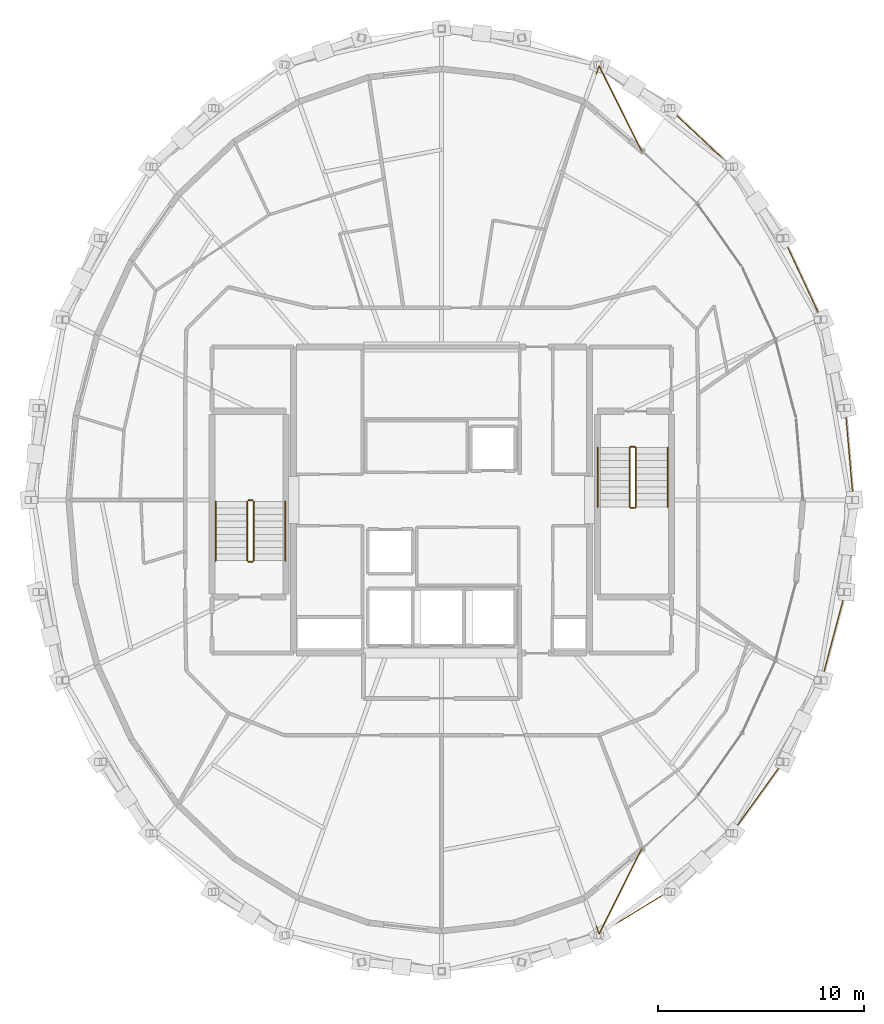
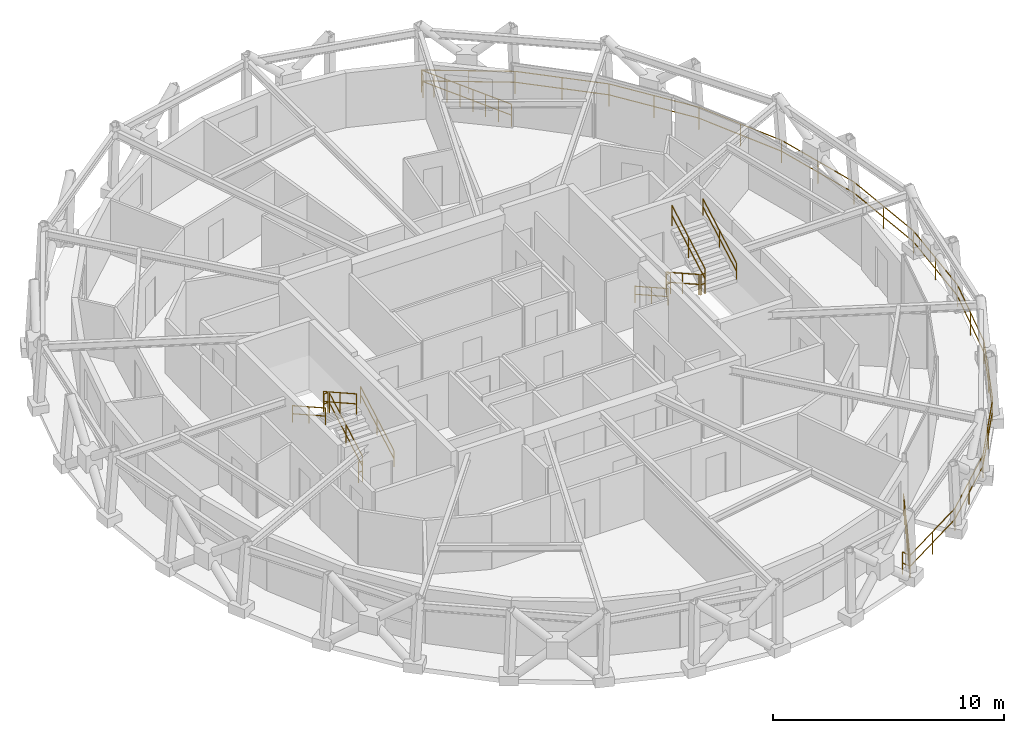
# One storey, part 17 of 17: 15 railings.
"""IFC4 building model written with IfcOpenShell, lengths in metres."""

from ifc_helpers import new_model, si_unit, direction, frame, origin, origin_2d, place, context, subcontext, project, spatial, circle, extrude, material, type_object, element, save


model = new_model("IFC4")

# Units and contexts
model_context = context("Model", 3, precision=1e-05, world=origin(), true_north=direction((0.0, 1.0)))
body_context = subcontext(model_context, "Body", "Model", "MODEL_VIEW")
ifc_project = project(units=[si_unit("LENGTHUNIT", "METRE"), si_unit("AREAUNIT", "SQUARE_METRE"), si_unit("VOLUMEUNIT", "CUBIC_METRE"), si_unit("PLANEANGLEUNIT", "RADIAN"), si_unit("MASSUNIT", "GRAM", prefix="KILO")], contexts=[model_context])

# Site, building, storey
site_placement = place(None, origin())
site = spatial("IfcSite", under=ifc_project, at=site_placement, CompositionType="ELEMENT")
building_placement = place(site_placement, origin())
building = spatial("IfcBuilding", under=site, at=building_placement, Name="Veldorina Hangang Commons", CompositionType="ELEMENT")
storey_placement = place(building_placement, frame((0.0, 0.0, 286.800048828125)))
storey = spatial("IfcBuildingStorey", under=building, at=storey_placement, Name="L75", CompositionType="ELEMENT", Elevation=286.800048828125)

# Railings
ifc_material_1 = material(Name="Glass Laminated Safety Balustrade", Category="glass")
railing_type_1 = type_object("IfcRailingType", Name="RL-BAL-LOGGIA", PredefinedType="BALUSTRADE", material=ifc_material_1)
railing_1_placement = place(storey_placement, frame((39.523681640625, 3.279541015625, 0.0)))
element("IfcRailing", 1, at=railing_1_placement, inside=storey, type_object=railing_type_1, Name="L75 sky-garden loggia end balustrade A", PredefinedType="BALUSTRADE", context=body_context, shape_type="SweptSolid", body=[
    extrude(circle(Radius=0.02392578125, at=origin_2d()), frame((0.0, 0.0, 1.17578125), z_axis=(0.341229591373, -0.939979981687, 0.0), x_axis=(0.939979981687, 0.341229591373, 0.0)), (0.0, 0.0, 1.0), 0.419921875),
    extrude(circle(Radius=0.02392578125, at=origin_2d()), frame((0.0, 0.0, 0.60009765625), z_axis=(0.341229591373, -0.939979981687, 0.0), x_axis=(0.939979981687, 0.341229591373, 0.0)), (0.0, 0.0, 1.0), 0.419921875),
    extrude(circle(Radius=0.02392578125, at=origin_2d()), frame((0.143310546875, -0.394775390625, 1.17578125), z_axis=(0.446543628479, 0.89476186098, 0.0), x_axis=(-0.89476186098, 0.446543628479, 0.0)), (0.0, 0.0, 1.0), 4.665283203125),
    extrude(circle(Radius=0.02392578125, at=origin_2d()), frame((0.143310546875, -0.394775390625, 0.60009765625), z_axis=(0.446543628479, 0.89476186098, 0.0), x_axis=(-0.89476186098, 0.446543628479, 0.0)), (0.0, 0.0, 1.0), 4.665283203125),
    extrude(circle(Radius=0.02099609375, at=origin_2d()), origin(), (0.0, 0.0, 1.0), 1.15185546875),
    extrude(circle(Radius=0.02099609375, at=origin_2d()), frame((0.143310546875, -0.394775390625, 0.0)), (0.0, 0.0, 1.0), 1.15185546875),
    extrude(circle(Radius=0.02099609375, at=origin_2d()), frame((0.44091796875, 0.20166015625, 0.0)), (0.0, 0.0, 1.0), 1.15185546875),
    extrude(circle(Radius=0.02099609375, at=origin_2d()), frame((0.738525390625, 0.7978515625, 0.0)), (0.0, 0.0, 1.0), 1.15185546875),
    extrude(circle(Radius=0.02099609375, at=origin_2d()), frame((1.0361328125, 1.394287109375, 0.0)), (0.0, 0.0, 1.0), 1.15185546875),
    extrude(circle(Radius=0.02099609375, at=origin_2d()), frame((1.333740234375, 1.990478515625, 0.0)), (0.0, 0.0, 1.0), 1.15185546875),
    extrude(circle(Radius=0.02099609375, at=origin_2d()), frame((1.63134765625, 2.5869140625, 0.0)), (0.0, 0.0, 1.0), 1.15185546875),
    extrude(circle(Radius=0.02099609375, at=origin_2d()), frame((1.928955078125, 3.18310546875, 0.0)), (0.0, 0.0, 1.0), 1.15185546875),
    extrude(circle(Radius=0.02099609375, at=origin_2d()), frame((2.2265625, 3.779541015625, 0.0)), (0.0, 0.0, 1.0), 1.15185546875),
])
railing_2_placement = place(storey_placement, frame((39.523681640625, 44.720458984375, 0.0)))
element("IfcRailing", 2, at=railing_2_placement, inside=storey, type_object=railing_type_1, Name="L75 sky-garden loggia end balustrade B", PredefinedType="BALUSTRADE", context=body_context, shape_type="SweptSolid", body=[
    extrude(circle(Radius=0.02392578125, at=origin_2d()), frame((0.0, 0.0, 1.17578125), z_axis=(0.341229591373, 0.939979981687, 0.0), x_axis=(-0.939979981687, 0.341229591373, 0.0)), (0.0, 0.0, 1.0), 0.419921875),
    extrude(circle(Radius=0.02392578125, at=origin_2d()), frame((0.0, 0.0, 0.60009765625), z_axis=(0.341229591373, 0.939979981687, 0.0), x_axis=(-0.939979981687, 0.341229591373, 0.0)), (0.0, 0.0, 1.0), 0.419921875),
    extrude(circle(Radius=0.02392578125, at=origin_2d()), frame((0.143310546875, 0.394775390625, 1.17578125), z_axis=(0.446543628479, -0.89476186098, 0.0), x_axis=(0.89476186098, 0.446543628479, 0.0)), (0.0, 0.0, 1.0), 4.665283203125),
    extrude(circle(Radius=0.02392578125, at=origin_2d()), frame((0.143310546875, 0.394775390625, 0.60009765625), z_axis=(0.446543628479, -0.89476186098, 0.0), x_axis=(0.89476186098, 0.446543628479, 0.0)), (0.0, 0.0, 1.0), 4.665283203125),
    extrude(circle(Radius=0.02099609375, at=origin_2d()), origin(), (0.0, 0.0, 1.0), 1.15185546875),
    extrude(circle(Radius=0.02099609375, at=origin_2d()), frame((0.143310546875, 0.394775390625, 0.0)), (0.0, 0.0, 1.0), 1.15185546875),
    extrude(circle(Radius=0.02099609375, at=origin_2d()), frame((0.44091796875, -0.20166015625, 0.0)), (0.0, 0.0, 1.0), 1.15185546875),
    extrude(circle(Radius=0.02099609375, at=origin_2d()), frame((0.738525390625, -0.7978515625, 0.0)), (0.0, 0.0, 1.0), 1.15185546875),
    extrude(circle(Radius=0.02099609375, at=origin_2d()), frame((1.0361328125, -1.394287109375, 0.0)), (0.0, 0.0, 1.0), 1.15185546875),
    extrude(circle(Radius=0.02099609375, at=origin_2d()), frame((1.333740234375, -1.990478515625, 0.0)), (0.0, 0.0, 1.0), 1.15185546875),
    extrude(circle(Radius=0.02099609375, at=origin_2d()), frame((1.63134765625, -2.5869140625, 0.0)), (0.0, 0.0, 1.0), 1.15185546875),
    extrude(circle(Radius=0.02099609375, at=origin_2d()), frame((1.928955078125, -3.18310546875, 0.0)), (0.0, 0.0, 1.0), 1.15185546875),
    extrude(circle(Radius=0.02099609375, at=origin_2d()), frame((2.2265625, -3.779541015625, 0.0)), (0.0, 0.0, 1.0), 1.15185546875),
])
railing_3_placement = place(storey_placement, frame((39.6669921875, 2.884765625, 0.0)))
element("IfcRailing", 3, at=railing_3_placement, inside=storey, type_object=railing_type_1, Name="L75 sky-garden loggia outer balustrade", PredefinedType="BALUSTRADE", context=body_context, shape_type="SweptSolid", body=[
    extrude(circle(Radius=0.02392578125, at=origin_2d()), frame((0.0, 0.0, 1.17578125), z_axis=(0.853602995995, 0.520924106975, 0.0), x_axis=(-0.520924106975, 0.853602995995, 0.0)), (0.0, 0.0, 1.0), 4.056884765625),
    extrude(circle(Radius=0.02392578125, at=origin_2d()), frame((0.0, 0.0, 0.60009765625), z_axis=(0.853602995995, 0.520924106975, 0.0), x_axis=(-0.520924106975, 0.853602995995, 0.0)), (0.0, 0.0, 1.0), 4.056884765625),
    extrude(circle(Radius=0.02392578125, at=origin_2d()), frame((3.462890625, 2.11328125, 1.17578125), z_axis=(0.729659853054, 0.683810279859, 0.0), x_axis=(-0.683810279859, 0.729659853054, 0.0)), (0.0, 0.0, 1.0), 4.15869140625),
    extrude(circle(Radius=0.02392578125, at=origin_2d()), frame((3.462890625, 2.11328125, 0.60009765625), z_axis=(0.729659853054, 0.683810279859, 0.0), x_axis=(-0.683810279859, 0.729659853054, 0.0)), (0.0, 0.0, 1.0), 4.15869140625),
    extrude(circle(Radius=0.02392578125, at=origin_2d()), frame((6.497314453125, 4.95703125, 1.17578125), z_axis=(0.583612461561, 0.812032323686, 0.0), x_axis=(-0.812032323686, 0.583612461561, 0.0)), (0.0, 0.0, 1.0), 4.265625),
    extrude(circle(Radius=0.02392578125, at=origin_2d()), frame((6.497314453125, 4.95703125, 0.60009765625), z_axis=(0.583612461561, 0.812032323686, 0.0), x_axis=(-0.812032323686, 0.583612461561, 0.0)), (0.0, 0.0, 1.0), 4.265625),
    extrude(circle(Radius=0.02392578125, at=origin_2d()), frame((8.98681640625, 8.4208984375, 1.17578125), z_axis=(0.423917641861, 0.90570074137, 0.0), x_axis=(-0.90570074137, 0.423917641861, 0.0)), (0.0, 0.0, 1.0), 4.362548828125),
    extrude(circle(Radius=0.02392578125, at=origin_2d()), frame((8.98681640625, 8.4208984375, 0.60009765625), z_axis=(0.423917641861, 0.90570074137, 0.0), x_axis=(-0.90570074137, 0.423917641861, 0.0)), (0.0, 0.0, 1.0), 4.362548828125),
    extrude(circle(Radius=0.02392578125, at=origin_2d()), frame((10.836181640625, 12.3720703125, 1.17578125), z_axis=(0.256706541952, 0.966489395347, 0.0), x_axis=(-0.966489395347, 0.256706541952, 0.0)), (0.0, 0.0, 1.0), 4.434814453125),
    extrude(circle(Radius=0.02392578125, at=origin_2d()), frame((10.836181640625, 12.3720703125, 0.60009765625), z_axis=(0.256706541952, 0.966489395347, 0.0), x_axis=(-0.966489395347, 0.256706541952, 0.0)), (0.0, 0.0, 1.0), 4.434814453125),
    extrude(circle(Radius=0.02392578125, at=origin_2d()), frame((11.974609375, 16.658203125, 1.17578125), z_axis=(0.085899550037, 0.996303802715, 0.0), x_axis=(-0.996303802715, 0.085899550037, 0.0)), (0.0, 0.0, 1.0), 4.4736328125),
    extrude(circle(Radius=0.02392578125, at=origin_2d()), frame((11.974609375, 16.658203125, 0.60009765625), z_axis=(0.085899550037, 0.996303802715, 0.0), x_axis=(-0.996303802715, 0.085899550037, 0.0)), (0.0, 0.0, 1.0), 4.4736328125),
    extrude(circle(Radius=0.02392578125, at=origin_2d()), frame((12.35888671875, 21.115234375, 1.17578125), z_axis=(-0.085899550037, 0.996303802715, 0.0), x_axis=(-0.996303802715, -0.085899550037, 0.0)), (0.0, 0.0, 1.0), 4.4736328125),
    extrude(circle(Radius=0.02392578125, at=origin_2d()), frame((12.35888671875, 21.115234375, 0.60009765625), z_axis=(-0.085899550037, 0.996303802715, 0.0), x_axis=(-0.996303802715, -0.085899550037, 0.0)), (0.0, 0.0, 1.0), 4.4736328125),
    extrude(circle(Radius=0.02392578125, at=origin_2d()), frame((11.974609375, 25.572265625, 1.17578125), z_axis=(-0.256706541952, 0.966489395347, 0.0), x_axis=(-0.966489395347, -0.256706541952, 0.0)), (0.0, 0.0, 1.0), 4.434814453125),
    extrude(circle(Radius=0.02392578125, at=origin_2d()), frame((11.974609375, 25.572265625, 0.60009765625), z_axis=(-0.256706541952, 0.966489395347, 0.0), x_axis=(-0.966489395347, -0.256706541952, 0.0)), (0.0, 0.0, 1.0), 4.434814453125),
    extrude(circle(Radius=0.02392578125, at=origin_2d()), frame((10.836181640625, 29.8583984375, 1.17578125), z_axis=(-0.423917641861, 0.90570074137, 0.0), x_axis=(-0.90570074137, -0.423917641861, 0.0)), (0.0, 0.0, 1.0), 4.362548828125),
    extrude(circle(Radius=0.02392578125, at=origin_2d()), frame((10.836181640625, 29.8583984375, 0.60009765625), z_axis=(-0.423917641861, 0.90570074137, 0.0), x_axis=(-0.90570074137, -0.423917641861, 0.0)), (0.0, 0.0, 1.0), 4.362548828125),
    extrude(circle(Radius=0.02392578125, at=origin_2d()), frame((8.98681640625, 33.8095703125, 1.17578125), z_axis=(-0.583612461561, 0.812032323686, 0.0), x_axis=(-0.812032323686, -0.583612461561, 0.0)), (0.0, 0.0, 1.0), 4.265625),
    extrude(circle(Radius=0.02392578125, at=origin_2d()), frame((8.98681640625, 33.8095703125, 0.60009765625), z_axis=(-0.583612461561, 0.812032323686, 0.0), x_axis=(-0.812032323686, -0.583612461561, 0.0)), (0.0, 0.0, 1.0), 4.265625),
    extrude(circle(Radius=0.02392578125, at=origin_2d()), frame((6.497314453125, 37.2734375, 1.17578125), z_axis=(-0.729659853054, 0.683810279859, 0.0), x_axis=(-0.683810279859, -0.729659853054, 0.0)), (0.0, 0.0, 1.0), 4.15869140625),
    extrude(circle(Radius=0.02392578125, at=origin_2d()), frame((6.497314453125, 37.2734375, 0.60009765625), z_axis=(-0.729659853054, 0.683810279859, 0.0), x_axis=(-0.683810279859, -0.729659853054, 0.0)), (0.0, 0.0, 1.0), 4.15869140625),
    extrude(circle(Radius=0.02392578125, at=origin_2d()), frame((3.462890625, 40.1171875, 1.17578125), z_axis=(-0.853602995995, 0.520924106975, 0.0), x_axis=(-0.520924106975, -0.853602995995, 0.0)), (0.0, 0.0, 1.0), 4.056884765625),
    extrude(circle(Radius=0.02392578125, at=origin_2d()), frame((3.462890625, 40.1171875, 0.60009765625), z_axis=(-0.853602995995, 0.520924106975, 0.0), x_axis=(-0.520924106975, -0.853602995995, 0.0)), (0.0, 0.0, 1.0), 4.056884765625),
    extrude(circle(Radius=0.02099609375, at=origin_2d()), origin(), (0.0, 0.0, 1.0), 1.15185546875),
    extrude(circle(Radius=0.02099609375, at=origin_2d()), frame((1.7314453125, 1.056640625, 0.0)), (0.0, 0.0, 1.0), 1.15185546875),
    extrude(circle(Radius=0.02099609375, at=origin_2d()), frame((3.462890625, 2.11328125, 0.0)), (0.0, 0.0, 1.0), 1.15185546875),
    extrude(circle(Radius=0.02099609375, at=origin_2d()), frame((4.97998046875, 3.53515625, 0.0)), (0.0, 0.0, 1.0), 1.15185546875),
    extrude(circle(Radius=0.02099609375, at=origin_2d()), frame((6.497314453125, 4.95703125, 0.0)), (0.0, 0.0, 1.0), 1.15185546875),
    extrude(circle(Radius=0.02099609375, at=origin_2d()), frame((7.7421875, 6.68896484375, 0.0)), (0.0, 0.0, 1.0), 1.15185546875),
    extrude(circle(Radius=0.02099609375, at=origin_2d()), frame((8.98681640625, 8.4208984375, 0.0)), (0.0, 0.0, 1.0), 1.15185546875),
    extrude(circle(Radius=0.02099609375, at=origin_2d()), frame((9.91162109375, 10.396484375, 0.0)), (0.0, 0.0, 1.0), 1.15185546875),
    extrude(circle(Radius=0.02099609375, at=origin_2d()), frame((10.836181640625, 12.3720703125, 0.0)), (0.0, 0.0, 1.0), 1.15185546875),
    extrude(circle(Radius=0.02099609375, at=origin_2d()), frame((11.4052734375, 14.51513671875, 0.0)), (0.0, 0.0, 1.0), 1.15185546875),
    extrude(circle(Radius=0.02099609375, at=origin_2d()), frame((11.974609375, 16.658203125, 0.0)), (0.0, 0.0, 1.0), 1.15185546875),
    extrude(circle(Radius=0.02099609375, at=origin_2d()), frame((12.166748046875, 18.88671875, 0.0)), (0.0, 0.0, 1.0), 1.15185546875),
    extrude(circle(Radius=0.02099609375, at=origin_2d()), frame((12.35888671875, 21.115234375, 0.0)), (0.0, 0.0, 1.0), 1.15185546875),
    extrude(circle(Radius=0.02099609375, at=origin_2d()), frame((12.166748046875, 23.34375, 0.0)), (0.0, 0.0, 1.0), 1.15185546875),
    extrude(circle(Radius=0.02099609375, at=origin_2d()), frame((11.974609375, 25.572265625, 0.0)), (0.0, 0.0, 1.0), 1.15185546875),
    extrude(circle(Radius=0.02099609375, at=origin_2d()), frame((11.4052734375, 27.71533203125, 0.0)), (0.0, 0.0, 1.0), 1.15185546875),
    extrude(circle(Radius=0.02099609375, at=origin_2d()), frame((10.836181640625, 29.8583984375, 0.0)), (0.0, 0.0, 1.0), 1.15185546875),
    extrude(circle(Radius=0.02099609375, at=origin_2d()), frame((9.91162109375, 31.833984375, 0.0)), (0.0, 0.0, 1.0), 1.15185546875),
    extrude(circle(Radius=0.02099609375, at=origin_2d()), frame((8.98681640625, 33.8095703125, 0.0)), (0.0, 0.0, 1.0), 1.15185546875),
    extrude(circle(Radius=0.02099609375, at=origin_2d()), frame((7.7421875, 35.54150390625, 0.0)), (0.0, 0.0, 1.0), 1.15185546875),
    extrude(circle(Radius=0.02099609375, at=origin_2d()), frame((6.497314453125, 37.2734375, 0.0)), (0.0, 0.0, 1.0), 1.15185546875),
    extrude(circle(Radius=0.02099609375, at=origin_2d()), frame((4.97998046875, 38.6953125, 0.0)), (0.0, 0.0, 1.0), 1.15185546875),
    extrude(circle(Radius=0.02099609375, at=origin_2d()), frame((3.462890625, 40.1171875, 0.0)), (0.0, 0.0, 1.0), 1.15185546875),
    extrude(circle(Radius=0.02099609375, at=origin_2d()), frame((1.7314453125, 41.173828125, 0.0)), (0.0, 0.0, 1.0), 1.15185546875),
    extrude(circle(Radius=0.02099609375, at=origin_2d()), frame((0.0, 42.23046875, 0.0)), (0.0, 0.0, 1.0), 1.15185546875),
])
ifc_material_2 = material(Name="Steel Painted Balustrade", Category="steel")
railing_type_2 = type_object("IfcRailingType", Name="RL-GRD-STAIR", PredefinedType="GUARDRAIL", material=ifc_material_2)
railing_4_placement = place(storey_placement, frame((22.85009765625, 21.050048828125, 0.179931640625)))
element("IfcRailing", 4, at=railing_4_placement, inside=storey, type_object=railing_type_2, Name="L75 ST-1 stair guard 1", PredefinedType="GUARDRAIL", context=body_context, shape_type="SweptSolid", body=[
    extrude(circle(Radius=0.02392578125, at=origin_2d()), frame((0.0, 0.0, 1.076171875), z_axis=(0.0, 0.87155185771, 0.490303333991), x_axis=(-1.0, 0.0, 0.0)), (0.0, 0.0, 1.0), 3.30419921875),
    extrude(circle(Radius=0.02392578125, at=origin_2d()), frame((0.0, 0.0, 0.550048828125), z_axis=(0.0, 0.87155185771, 0.490303333991), x_axis=(-1.0, 0.0, 0.0)), (0.0, 0.0, 1.0), 3.30419921875),
    extrude(circle(Radius=0.02099609375, at=origin_2d()), origin(), (0.0, 0.0, 1.0), 1.052001953125),
    extrude(circle(Radius=0.02099609375, at=origin_2d()), frame((0.0, 1.43994140625, 0.81005859375)), (0.0, 0.0, 1.0), 1.052001953125),
    extrude(circle(Radius=0.02099609375, at=origin_2d()), frame((0.0, 2.8798828125, 1.6201171875)), (0.0, 0.0, 1.0), 1.052001953125),
])
railing_5_placement = place(storey_placement, frame((22.800048828125, 23.97998046875, 1.800048828125)))
element("IfcRailing", 5, at=railing_5_placement, inside=storey, type_object=railing_type_2, Name="L75 ST-1 stair guard 2", PredefinedType="GUARDRAIL", context=body_context, shape_type="SweptSolid", body=[
    extrude(circle(Radius=0.02392578125, at=origin_2d()), frame((0.0, 0.0, 1.076171875), z_axis=(-1.0, 0.0, 0.0), x_axis=(0.0, -1.0, 0.0)), (0.0, 0.0, 1.0), 0.199951171875),
    extrude(circle(Radius=0.02392578125, at=origin_2d()), frame((0.0, 0.0, 0.550048828125), z_axis=(-1.0, 0.0, 0.0), x_axis=(0.0, -1.0, 0.0)), (0.0, 0.0, 1.0), 0.199951171875),
    extrude(circle(Radius=0.02099609375, at=origin_2d()), origin(), (0.0, 0.0, 1.0), 1.052001953125),
    extrude(circle(Radius=0.02099609375, at=origin_2d()), frame((-0.199951171875, 0.0, 0.0)), (0.0, 0.0, 1.0), 1.052001953125),
])
railing_6_placement = place(storey_placement, frame((22.550048828125, 23.929931640625, 1.97998046875)))
element("IfcRailing", 6, at=railing_6_placement, inside=storey, type_object=railing_type_2, Name="L75 ST-1 stair guard 3", PredefinedType="GUARDRAIL", context=body_context, shape_type="SweptSolid", body=[
    extrude(circle(Radius=0.02392578125, at=origin_2d()), frame((0.0, 0.0, 1.076171875), z_axis=(0.0, -0.871583430097, 0.490247207417), x_axis=(1.0, 0.0, 0.0)), (0.0, 0.0, 1.0), 3.30419921875),
    extrude(circle(Radius=0.02392578125, at=origin_2d()), frame((0.0, 0.0, 0.550048828125), z_axis=(0.0, -0.871583430097, 0.490247207417), x_axis=(1.0, 0.0, 0.0)), (0.0, 0.0, 1.0), 3.30419921875),
    extrude(circle(Radius=0.02099609375, at=origin_2d()), origin(), (0.0, 0.0, 1.0), 1.052001953125),
    extrude(circle(Radius=0.02099609375, at=origin_2d()), frame((0.0, -1.43994140625, 0.81005859375)), (0.0, 0.0, 1.0), 1.052001953125),
    extrude(circle(Radius=0.02099609375, at=origin_2d()), frame((0.0, -2.8798828125, 1.619873046875)), (0.0, 0.0, 1.0), 1.052001953125),
])
railing_7_placement = place(storey_placement, frame((22.800048828125, 21.0, 0.0)))
element("IfcRailing", 7, at=railing_7_placement, inside=storey, type_object=railing_type_2, Name="L75 ST-1 stair guard 4", PredefinedType="GUARDRAIL", context=body_context, shape_type="SweptSolid", body=[
    extrude(circle(Radius=0.02392578125, at=origin_2d()), frame((0.0, 0.0, 1.076171875), z_axis=(-1.0, 0.0, 0.0), x_axis=(0.0, -1.0, 0.0)), (0.0, 0.0, 1.0), 0.199951171875),
    extrude(circle(Radius=0.02392578125, at=origin_2d()), frame((0.0, 0.0, 0.550048828125), z_axis=(-1.0, 0.0, 0.0), x_axis=(0.0, -1.0, 0.0)), (0.0, 0.0, 1.0), 0.199951171875),
    extrude(circle(Radius=0.02099609375, at=origin_2d()), origin(), (0.0, 0.0, 1.0), 1.052001953125),
    extrude(circle(Radius=0.02099609375, at=origin_2d()), frame((-0.199951171875, 0.0, 0.0)), (0.0, 0.0, 1.0), 1.052001953125),
])
railing_8_placement = place(storey_placement, frame((41.14990234375, 26.550048828125, 0.179931640625)))
element("IfcRailing", 8, at=railing_8_placement, inside=storey, type_object=railing_type_2, Name="L75 ST-2 stair guard 1", PredefinedType="GUARDRAIL", context=body_context, shape_type="SweptSolid", body=[
    extrude(circle(Radius=0.02392578125, at=origin_2d()), frame((0.0, 0.0, 1.076171875), z_axis=(0.0, -0.871569617843, 0.490271762652), x_axis=(1.0, 0.0, 0.0)), (0.0, 0.0, 1.0), 3.304443359375),
    extrude(circle(Radius=0.02392578125, at=origin_2d()), frame((0.0, 0.0, 0.550048828125), z_axis=(0.0, -0.871569617843, 0.490271762652), x_axis=(1.0, 0.0, 0.0)), (0.0, 0.0, 1.0), 3.304443359375),
    extrude(circle(Radius=0.02099609375, at=origin_2d()), origin(), (0.0, 0.0, 1.0), 1.052001953125),
    extrude(circle(Radius=0.02099609375, at=origin_2d()), frame((0.0, -1.43994140625, 0.81005859375)), (0.0, 0.0, 1.0), 1.052001953125),
    extrude(circle(Radius=0.02099609375, at=origin_2d()), frame((0.0, -2.880126953125, 1.6201171875)), (0.0, 0.0, 1.0), 1.052001953125),
])
railing_9_placement = place(storey_placement, frame((41.199951171875, 23.6201171875, 1.800048828125)))
element("IfcRailing", 9, at=railing_9_placement, inside=storey, type_object=railing_type_2, Name="L75 ST-2 stair guard 2", PredefinedType="GUARDRAIL", context=body_context, shape_type="SweptSolid", body=[
    extrude(circle(Radius=0.02392578125, at=origin_2d()), frame((0.0, 0.0, 1.076171875), z_axis=(1.0, 0.0, 0.0), x_axis=(0.0, 1.0, 0.0)), (0.0, 0.0, 1.0), 0.199951171875),
    extrude(circle(Radius=0.02392578125, at=origin_2d()), frame((0.0, 0.0, 0.550048828125), z_axis=(1.0, 0.0, 0.0), x_axis=(0.0, 1.0, 0.0)), (0.0, 0.0, 1.0), 0.199951171875),
    extrude(circle(Radius=0.02099609375, at=origin_2d()), origin(), (0.0, 0.0, 1.0), 1.052001953125),
    extrude(circle(Radius=0.02099609375, at=origin_2d()), frame((0.199951171875, 0.0, 0.0)), (0.0, 0.0, 1.0), 1.052001953125),
])
railing_10_placement = place(storey_placement, frame((41.449951171875, 23.669921875, 1.97998046875)))
element("IfcRailing", 10, at=railing_10_placement, inside=storey, type_object=railing_type_2, Name="L75 ST-2 stair guard 3", PredefinedType="GUARDRAIL", context=body_context, shape_type="SweptSolid", body=[
    extrude(circle(Radius=0.02392578125, at=origin_2d()), frame((0.0, 0.0, 1.076171875), z_axis=(0.0, 0.871601186807, 0.490215637405), x_axis=(-1.0, 0.0, 0.0)), (0.0, 0.0, 1.0), 3.304443359375),
    extrude(circle(Radius=0.02392578125, at=origin_2d()), frame((0.0, 0.0, 0.550048828125), z_axis=(0.0, 0.871601186807, 0.490215637405), x_axis=(-1.0, 0.0, 0.0)), (0.0, 0.0, 1.0), 3.304443359375),
    extrude(circle(Radius=0.02099609375, at=origin_2d()), origin(), (0.0, 0.0, 1.0), 1.052001953125),
    extrude(circle(Radius=0.02099609375, at=origin_2d()), frame((0.0, 1.43994140625, 0.81005859375)), (0.0, 0.0, 1.0), 1.052001953125),
    extrude(circle(Radius=0.02099609375, at=origin_2d()), frame((0.0, 2.880126953125, 1.619873046875)), (0.0, 0.0, 1.0), 1.052001953125),
])
railing_11_placement = place(storey_placement, frame((41.199951171875, 26.60009765625, 0.0)))
element("IfcRailing", 11, at=railing_11_placement, inside=storey, type_object=railing_type_2, Name="L75 ST-2 stair guard 4", PredefinedType="GUARDRAIL", context=body_context, shape_type="SweptSolid", body=[
    extrude(circle(Radius=0.02392578125, at=origin_2d()), frame((0.0, 0.0, 1.076171875), z_axis=(1.0, 0.0, 0.0), x_axis=(0.0, 1.0, 0.0)), (0.0, 0.0, 1.0), 0.199951171875),
    extrude(circle(Radius=0.02392578125, at=origin_2d()), frame((0.0, 0.0, 0.550048828125), z_axis=(1.0, 0.0, 0.0), x_axis=(0.0, 1.0, 0.0)), (0.0, 0.0, 1.0), 0.199951171875),
    extrude(circle(Radius=0.02099609375, at=origin_2d()), origin(), (0.0, 0.0, 1.0), 1.052001953125),
    extrude(circle(Radius=0.02099609375, at=origin_2d()), frame((0.199951171875, 0.0, 0.0)), (0.0, 0.0, 1.0), 1.052001953125),
])
ifc_material_3 = material(Name="Stainless Steel Brushed 316", Category="steel")
railing_type_3 = type_object("IfcRailingType", Name="RL-HND-STAIR", PredefinedType="HANDRAIL", material=ifc_material_3)
railing_12_placement = place(storey_placement, frame((24.39990234375, 21.050048828125, 0.179931640625)))
element("IfcRailing", 12, at=railing_12_placement, inside=storey, type_object=railing_type_3, Name="L75 ST-1 stair handrail 1", PredefinedType="HANDRAIL", context=body_context, shape_type="SweptSolid", body=[
    extrude(circle(Radius=0.02392578125, at=origin_2d()), frame((0.0, 0.0, 0.8759765625), z_axis=(0.0, 0.87155185771, 0.490303333991), x_axis=(-1.0, 0.0, 0.0)), (0.0, 0.0, 1.0), 3.30419921875),
    extrude(circle(Radius=0.02392578125, at=origin_2d()), frame((0.0, 0.0, 0.449951171875), z_axis=(0.0, 0.87155185771, 0.490303333991), x_axis=(-1.0, 0.0, 0.0)), (0.0, 0.0, 1.0), 3.30419921875),
    extrude(circle(Radius=0.02099609375, at=origin_2d()), origin(), (0.0, 0.0, 1.0), 0.851806640625),
    extrude(circle(Radius=0.02099609375, at=origin_2d()), frame((0.0, 1.43994140625, 0.81005859375)), (0.0, 0.0, 1.0), 0.851806640625),
    extrude(circle(Radius=0.02099609375, at=origin_2d()), frame((0.0, 2.8798828125, 1.6201171875)), (0.0, 0.0, 1.0), 0.851806640625),
])
railing_13_placement = place(storey_placement, frame((21.0, 23.929931640625, 1.97998046875)))
element("IfcRailing", 13, at=railing_13_placement, inside=storey, type_object=railing_type_3, Name="L75 ST-1 stair handrail 2", PredefinedType="HANDRAIL", context=body_context, shape_type="SweptSolid", body=[
    extrude(circle(Radius=0.02392578125, at=origin_2d()), frame((0.0, 0.0, 0.8759765625), z_axis=(0.0, -0.871583430097, 0.490247207417), x_axis=(1.0, 0.0, 0.0)), (0.0, 0.0, 1.0), 3.30419921875),
    extrude(circle(Radius=0.02392578125, at=origin_2d()), frame((0.0, 0.0, 0.449951171875), z_axis=(0.0, -0.871583430097, 0.490247207417), x_axis=(1.0, 0.0, 0.0)), (0.0, 0.0, 1.0), 3.30419921875),
    extrude(circle(Radius=0.02099609375, at=origin_2d()), origin(), (0.0, 0.0, 1.0), 0.851806640625),
    extrude(circle(Radius=0.02099609375, at=origin_2d()), frame((0.0, -1.43994140625, 0.81005859375)), (0.0, 0.0, 1.0), 0.851806640625),
    extrude(circle(Radius=0.02099609375, at=origin_2d()), frame((0.0, -2.8798828125, 1.619873046875)), (0.0, 0.0, 1.0), 0.851806640625),
])
railing_14_placement = place(storey_placement, frame((39.60009765625, 26.550048828125, 0.179931640625)))
element("IfcRailing", 14, at=railing_14_placement, inside=storey, type_object=railing_type_3, Name="L75 ST-2 stair handrail 1", PredefinedType="HANDRAIL", context=body_context, shape_type="SweptSolid", body=[
    extrude(circle(Radius=0.02392578125, at=origin_2d()), frame((0.0, 0.0, 0.8759765625), z_axis=(0.0, -0.871569617843, 0.490271762652), x_axis=(1.0, 0.0, 0.0)), (0.0, 0.0, 1.0), 3.304443359375),
    extrude(circle(Radius=0.02392578125, at=origin_2d()), frame((0.0, 0.0, 0.449951171875), z_axis=(0.0, -0.871569617843, 0.490271762652), x_axis=(1.0, 0.0, 0.0)), (0.0, 0.0, 1.0), 3.304443359375),
    extrude(circle(Radius=0.02099609375, at=origin_2d()), origin(), (0.0, 0.0, 1.0), 0.851806640625),
    extrude(circle(Radius=0.02099609375, at=origin_2d()), frame((0.0, -1.43994140625, 0.81005859375)), (0.0, 0.0, 1.0), 0.851806640625),
    extrude(circle(Radius=0.02099609375, at=origin_2d()), frame((0.0, -2.880126953125, 1.6201171875)), (0.0, 0.0, 1.0), 0.851806640625),
])
railing_15_placement = place(storey_placement, frame((43.0, 23.669921875, 1.97998046875)))
element("IfcRailing", 15, at=railing_15_placement, inside=storey, type_object=railing_type_3, Name="L75 ST-2 stair handrail 2", PredefinedType="HANDRAIL", context=body_context, shape_type="SweptSolid", body=[
    extrude(circle(Radius=0.02392578125, at=origin_2d()), frame((0.0, 0.0, 0.8759765625), z_axis=(0.0, 0.871601186807, 0.490215637405), x_axis=(-1.0, 0.0, 0.0)), (0.0, 0.0, 1.0), 3.304443359375),
    extrude(circle(Radius=0.02392578125, at=origin_2d()), frame((0.0, 0.0, 0.449951171875), z_axis=(0.0, 0.871601186807, 0.490215637405), x_axis=(-1.0, 0.0, 0.0)), (0.0, 0.0, 1.0), 3.304443359375),
    extrude(circle(Radius=0.02099609375, at=origin_2d()), origin(), (0.0, 0.0, 1.0), 0.851806640625),
    extrude(circle(Radius=0.02099609375, at=origin_2d()), frame((0.0, 1.43994140625, 0.81005859375)), (0.0, 0.0, 1.0), 0.851806640625),
    extrude(circle(Radius=0.02099609375, at=origin_2d()), frame((0.0, 2.880126953125, 1.619873046875)), (0.0, 0.0, 1.0), 0.851806640625),
])

save(model, "model.ifc")
